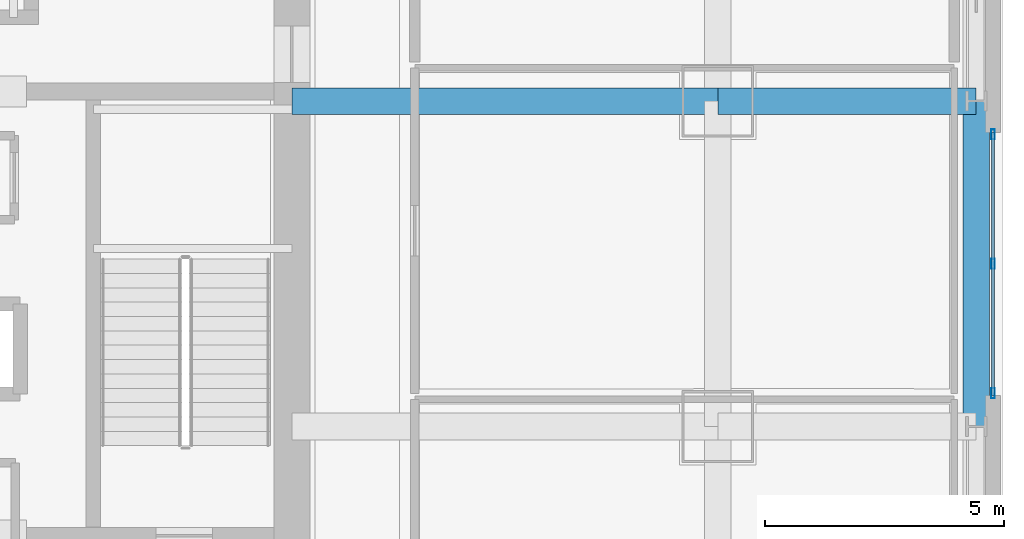
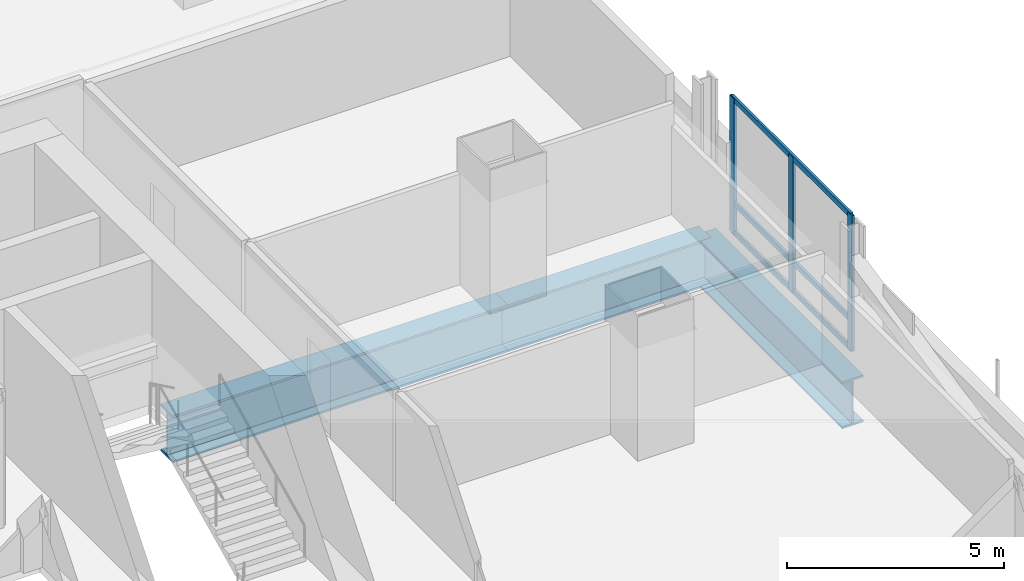
# One storey, part 4 of 28: 6 members, 3 beams, 1 element without a shape of its own.
"""IFC4 building model written with IfcOpenShell, lengths in metres."""

from ifc_helpers import new_model, si_unit, direction, frame, origin, origin_2d, place, context, subcontext, project, spatial, hollow_rectangle, i_section, extrude, material, material_profile, profile_set, type_object, element, aggregate, save


model = new_model("IFC4")

# Units and contexts
model_context = context("Model", 3, precision=1e-05, world=origin(), true_north=direction((0.0, 1.0)))
body_context = subcontext(model_context, "Body", "Model", "MODEL_VIEW")
ifc_project = project(units=[si_unit("LENGTHUNIT", "METRE"), si_unit("AREAUNIT", "SQUARE_METRE"), si_unit("VOLUMEUNIT", "CUBIC_METRE"), si_unit("PLANEANGLEUNIT", "RADIAN"), si_unit("MASSUNIT", "GRAM", prefix="KILO")], contexts=[model_context])

# Site, building, storey
site_placement = place(None, origin())
site = spatial("IfcSite", under=ifc_project, at=site_placement, CompositionType="ELEMENT")
building_placement = place(site_placement, origin())
building = spatial("IfcBuilding", under=site, at=building_placement, Name="Punatoya Terracotta Tower", CompositionType="ELEMENT")
storey_placement = place(building_placement, frame((0.0, 0.0, 93.0)))
storey = spatial("IfcBuildingStorey", under=building, at=storey_placement, Name="L21", CompositionType="ELEMENT", Elevation=93.0)

# Beams
ifc_material_1 = material(Name="Steel S460", Category="steel")
ifc_material_profile_1 = material_profile(ifc_material_1, i_section(OverallWidth=0.56005859375, OverallDepth=1.320068359375, WebThickness=0.035888671875, FlangeThickness=0.054931640625, FilletRadius=0.01806640625, at=origin_2d()))
ifc_profile_set_1 = profile_set([ifc_material_profile_1], Name="Steel S460")
beam_type = type_object("IfcBeamType", Name="BM-TG-BLK", PredefinedType="BEAM", material=ifc_profile_set_1)
beam_1_placement = place(storey_placement, frame((10.199951171875, 3.39990234375, -0.93994140625), z_axis=(1.0, 0.0, 0.0), x_axis=(0.0, 1.0, 0.0)))
element("IfcBeam", 1, at=beam_1_placement, inside=storey, type_object=beam_type, Name="BM-L21-PR-EE", PredefinedType="BEAM", context=body_context, shape_type="SweptSolid", body=[
    extrude(i_section(OverallWidth=0.56005859375, OverallDepth=1.320068359375, WebThickness=0.035888671875, FlangeThickness=0.054931640625, FilletRadius=0.01806640625, at=origin_2d()), origin(), (0.0, 0.0, 1.0), 8.900146484375),
])
beam_2_placement = place(storey_placement, frame((19.10009765625, 3.39990234375, -0.93994140625), z_axis=(1.0, 0.0, 0.0), x_axis=(0.0, 1.0, 0.0)))
element("IfcBeam", 2, at=beam_2_placement, inside=storey, type_object=beam_type, Name="BM-L21-CANT-E3", PredefinedType="BEAM", context=body_context, shape_type="SweptSolid", body=[
    extrude(i_section(OverallWidth=0.56005859375, OverallDepth=1.320068359375, WebThickness=0.035888671875, FlangeThickness=0.054931640625, FilletRadius=0.01806640625, at=origin_2d()), origin(), (0.0, 0.0, 1.0), 5.39990234375),
])
beam_3_placement = place(storey_placement, frame((24.5, -3.39990234375, -0.93994140625), z_axis=(0.0, 1.0, 0.0), x_axis=(-1.0, 0.0, 0.0)))
element("IfcBeam", 3, at=beam_3_placement, inside=storey, type_object=beam_type, Name="BM-L21-PER-E2", PredefinedType="BEAM", context=body_context, shape_type="SweptSolid", body=[
    extrude(i_section(OverallWidth=0.56005859375, OverallDepth=1.320068359375, WebThickness=0.035888671875, FlangeThickness=0.054931640625, FilletRadius=0.01806640625, at=origin_2d()), origin(), (0.0, 0.0, 1.0), 6.7998046875),
])

# Curtain wall, members
ifc_material_2 = material(Name="Aluminium 6063-T6 + Double Low-E Glass", Category="aluminium")
curtain_wall_type = type_object("IfcCurtainWallType", Name="CW-M1", PredefinedType="NOTDEFINED", material=ifc_material_2)
curtain_wall_placement = place(storey_placement, origin())
curtain_wall = element("IfcCurtainWall", 4, at=curtain_wall_placement, inside=storey, type_object=curtain_wall_type, Name="L21 Curtain Wall CW-L21-E05-1", PredefinedType="NOTDEFINED")
ifc_material_3 = material(Name="Aluminium 6063-T6", Category="aluminium")
ifc_material_profile_2 = material_profile(ifc_material_3, hollow_rectangle(XDim=0.074951171875, YDim=0.2099609375, WallThickness=0.00439453125, at=origin_2d()))
ifc_profile_set_2 = profile_set([ifc_material_profile_2], Name="Aluminium 6063-T6")
member_type_1 = type_object("IfcMemberType", Name="CW-MUL-M1", PredefinedType="MULLION", material=ifc_profile_set_2)
member_1_placement = place(storey_placement, frame((24.85009765625, -2.705078125, 0.0), z_axis=(0.0, 0.0, 1.0), x_axis=(1.0, 0.0, 0.0)))
member_1 = element("IfcMember", 5, at=member_1_placement, type_object=member_type_1, Name="CW-L21-E05-1 Mullion 00", PredefinedType="MULLION", context=body_context, shape_type="SweptSolid", body=[
    extrude(hollow_rectangle(XDim=0.074951171875, YDim=0.2099609375, WallThickness=0.00439453125, at=origin_2d()), origin(), (0.0, 0.0, 1.0), 3.81005859375),
])
member_2_placement = place(storey_placement, frame((24.85009765625, 0.0, 0.0), z_axis=(0.0, 0.0, 1.0), x_axis=(1.0, 0.0, 0.0)))
member_2 = element("IfcMember", 6, at=member_2_placement, type_object=member_type_1, Name="CW-L21-E05-1 Mullion 01", PredefinedType="MULLION", context=body_context, shape_type="SweptSolid", body=[
    extrude(hollow_rectangle(XDim=0.074951171875, YDim=0.2099609375, WallThickness=0.00439453125, at=origin_2d()), origin(), (0.0, 0.0, 1.0), 3.81005859375),
])
member_3_placement = place(storey_placement, frame((24.85009765625, 2.705078125, 0.0), z_axis=(0.0, 0.0, 1.0), x_axis=(1.0, 0.0, 0.0)))
member_3 = element("IfcMember", 7, at=member_3_placement, type_object=member_type_1, Name="CW-L21-E05-1 Mullion 02", PredefinedType="MULLION", context=body_context, shape_type="SweptSolid", body=[
    extrude(hollow_rectangle(XDim=0.074951171875, YDim=0.2099609375, WallThickness=0.00439453125, at=origin_2d()), origin(), (0.0, 0.0, 1.0), 3.81005859375),
])
ifc_material_profile_3 = material_profile(ifc_material_3, hollow_rectangle(XDim=0.068115234375, YDim=0.14990234375, WallThickness=0.00390625, at=origin_2d()))
ifc_profile_set_3 = profile_set([ifc_material_profile_3], Name="Aluminium 6063-T6")
member_type_2 = type_object("IfcMemberType", Name="CW-TRN-TYP", PredefinedType="USERDEFINED", material=ifc_profile_set_3)
member_4_placement = place(storey_placement, frame((24.85009765625, -2.75, 0.0400390625), z_axis=(0.0, 1.0, 0.0), x_axis=(-1.0, 0.0, 0.0)))
member_4 = element("IfcMember", 8, at=member_4_placement, type_object=member_type_2, Name="CW-L21-E05-1 Transom 1", ObjectType="TRANSOM", PredefinedType="USERDEFINED", context=body_context, shape_type="SweptSolid", body=[
    extrude(hollow_rectangle(XDim=0.068115234375, YDim=0.14990234375, WallThickness=0.00390625, at=origin_2d()), origin(), (0.0, 0.0, 1.0), 5.5),
])
member_5_placement = place(storey_placement, frame((24.85009765625, -2.75, 0.85009765625), z_axis=(0.0, 1.0, 0.0), x_axis=(-1.0, 0.0, 0.0)))
member_5 = element("IfcMember", 9, at=member_5_placement, type_object=member_type_2, Name="CW-L21-E05-1 Transom 2", ObjectType="TRANSOM", PredefinedType="USERDEFINED", context=body_context, shape_type="SweptSolid", body=[
    extrude(hollow_rectangle(XDim=0.068115234375, YDim=0.14990234375, WallThickness=0.00390625, at=origin_2d()), origin(), (0.0, 0.0, 1.0), 5.5),
])
member_6_placement = place(storey_placement, frame((24.85009765625, -2.75, 3.77001953125), z_axis=(0.0, 1.0, 0.0), x_axis=(-1.0, 0.0, 0.0)))
member_6 = element("IfcMember", 10, at=member_6_placement, type_object=member_type_2, Name="CW-L21-E05-1 Transom 3", ObjectType="TRANSOM", PredefinedType="USERDEFINED", context=body_context, shape_type="SweptSolid", body=[
    extrude(hollow_rectangle(XDim=0.068115234375, YDim=0.14990234375, WallThickness=0.00390625, at=origin_2d()), origin(), (0.0, 0.0, 1.0), 5.5),
])
aggregate(curtain_wall, [member_1, member_2, member_3, member_4, member_5, member_6])

save(model, "model.ifc")
